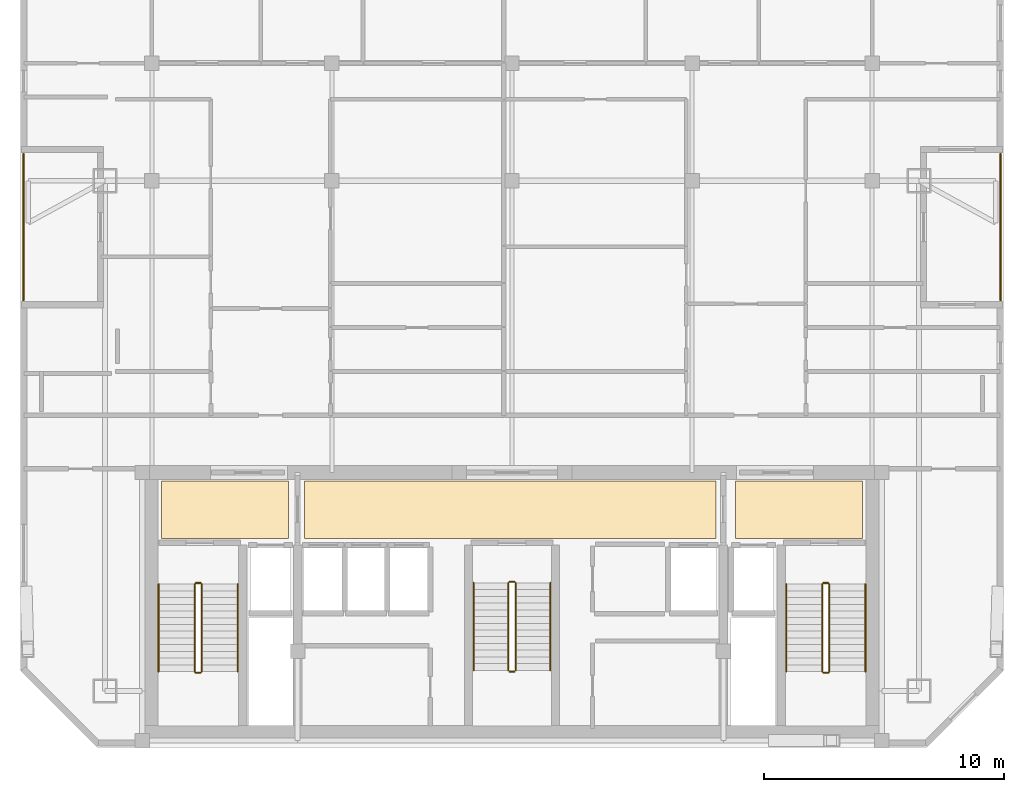
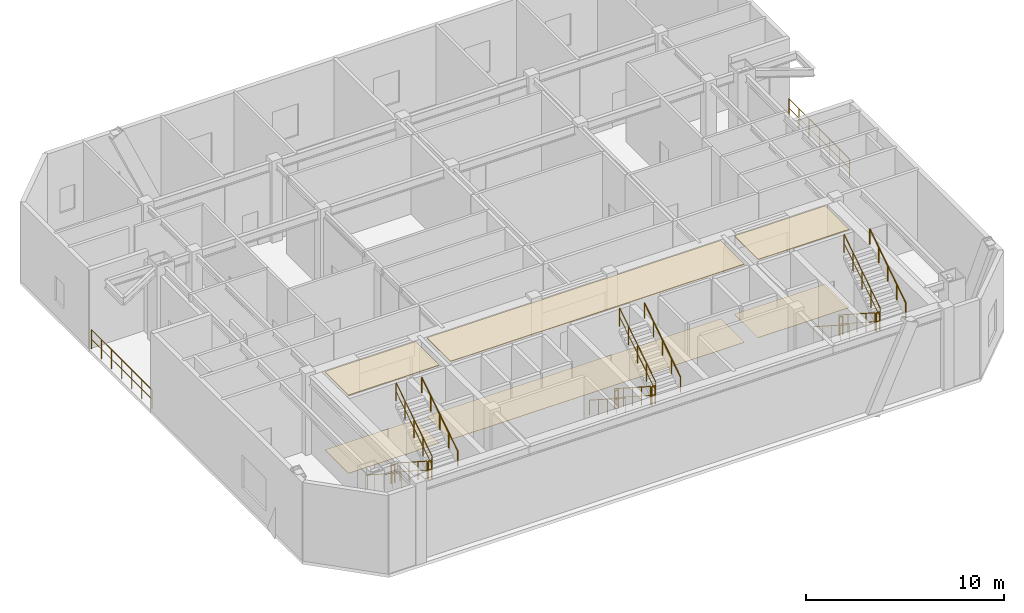
# One storey, part 7 of 7: 20 railings, 6 coverings.
"""IFC4 building model written with IfcOpenShell, lengths in metres."""

from ifc_helpers import new_model, si_unit, direction, frame, origin, origin_2d, place, context, subcontext, project, spatial, polyline, circle, outline, extrude, material, layer, layer_set, type_object, element, save


model = new_model("IFC4")

# Units and contexts
model_context = context("Model", 3, precision=1e-05, world=origin(), true_north=direction((0.0, 1.0)))
body_context = subcontext(model_context, "Body", "Model", "MODEL_VIEW")
ifc_project = project(units=[si_unit("LENGTHUNIT", "METRE"), si_unit("AREAUNIT", "SQUARE_METRE"), si_unit("VOLUMEUNIT", "CUBIC_METRE"), si_unit("PLANEANGLEUNIT", "RADIAN"), si_unit("MASSUNIT", "GRAM", prefix="KILO")], contexts=[model_context])

# Site, building, storey
site_placement = place(None, origin())
site = spatial("IfcSite", under=ifc_project, at=site_placement, CompositionType="ELEMENT")
building_placement = place(site_placement, origin())
building = spatial("IfcBuilding", under=site, at=building_placement, Name="Ventersveld Concourse Tower", CompositionType="ELEMENT")
storey_placement = place(building_placement, frame((0.0, 0.0, 276.0)))
storey = spatial("IfcBuildingStorey", under=building, at=storey_placement, Name="L68", CompositionType="ELEMENT", Elevation=276.0)

# Coverings
ifc_material_1 = material(Name="Mineral-fibre acoustic ceiling tile", Category="gypsum")
ifc_layer_1 = layer(ifc_material_1, 0.0400390625)
ifc_layer_set_1 = layer_set([ifc_layer_1], Name="Mineral-fibre acoustic ceiling tile")
covering_type_1 = type_object("IfcCoveringType", Name="COV-CEIL-ACOUSTIC", PredefinedType="CEILING", material=ifc_layer_set_1)
covering_1_placement = place(storey_placement, frame((0.0, 0.0, 4.81005859375)))
element("IfcCovering", 1, at=covering_1_placement, inside=storey, type_object=covering_type_1, Name="L68 North Lift Lobby Acoustic Ceiling", PredefinedType="CEILING", context=body_context, shape_type="SweptSolid", body=[
    extrude(outline(polyline([(20.10009765625, 8.699951171875), (37.25, 8.699951171875), (37.25, 11.10009765625), (20.10009765625, 11.10009765625), (20.10009765625, 8.699951171875)])), origin(), (0.0, 0.0, 1.0), 0.0400390625),
])
covering_2_placement = place(storey_placement, frame((0.0, 0.0, 4.81005859375)))
element("IfcCovering", 2, at=covering_2_placement, inside=storey, type_object=covering_type_1, Name="L68 West Firefighting Lobby Acoustic Ceiling", PredefinedType="CEILING", context=body_context, shape_type="SweptSolid", body=[
    extrude(outline(polyline([(14.14990234375, 8.699951171875), (19.449951171875, 8.699951171875), (19.449951171875, 11.10009765625), (14.14990234375, 11.10009765625), (14.14990234375, 8.699951171875)])), origin(), (0.0, 0.0, 1.0), 0.0400390625),
])
covering_3_placement = place(storey_placement, frame((0.0, 0.0, 4.81005859375)))
element("IfcCovering", 3, at=covering_3_placement, inside=storey, type_object=covering_type_1, Name="L68 East Firefighting Lobby Acoustic Ceiling", PredefinedType="CEILING", context=body_context, shape_type="SweptSolid", body=[
    extrude(outline(polyline([(38.050048828125, 8.699951171875), (43.35009765625, 8.699951171875), (43.35009765625, 11.10009765625), (38.050048828125, 11.10009765625), (38.050048828125, 8.699951171875)])), origin(), (0.0, 0.0, 1.0), 0.0400390625),
])
ifc_material_2 = material(Name="Polished Highveld granite terrazzo", Category="masonry")
ifc_layer_2 = layer(ifc_material_2, 0.02001953125)
ifc_layer_set_2 = layer_set([ifc_layer_2], Name="Polished Highveld granite terrazzo")
covering_type_2 = type_object("IfcCoveringType", Name="COV-FLOOR-TERRAZZO", PredefinedType="FLOORING", material=ifc_layer_set_2)
covering_4_placement = place(storey_placement, origin())
element("IfcCovering", 4, at=covering_4_placement, inside=storey, type_object=covering_type_2, Name="L68 North Lift Lobby Terrazzo Flooring", PredefinedType="FLOORING", context=body_context, shape_type="SweptSolid", body=[
    extrude(outline(polyline([(20.10009765625, 8.699951171875), (37.25, 8.699951171875), (37.25, 11.10009765625), (20.10009765625, 11.10009765625), (20.10009765625, 8.699951171875)])), origin(), (0.0, 0.0, 1.0), 0.02001953125),
])
covering_5_placement = place(storey_placement, origin())
element("IfcCovering", 5, at=covering_5_placement, inside=storey, type_object=covering_type_2, Name="L68 West Firefighting Lobby Terrazzo Flooring", PredefinedType="FLOORING", context=body_context, shape_type="SweptSolid", body=[
    extrude(outline(polyline([(14.14990234375, 8.699951171875), (19.449951171875, 8.699951171875), (19.449951171875, 11.10009765625), (14.14990234375, 11.10009765625), (14.14990234375, 8.699951171875)])), origin(), (0.0, 0.0, 1.0), 0.02001953125),
])
covering_6_placement = place(storey_placement, origin())
element("IfcCovering", 6, at=covering_6_placement, inside=storey, type_object=covering_type_2, Name="L68 East Firefighting Lobby Terrazzo Flooring", PredefinedType="FLOORING", context=body_context, shape_type="SweptSolid", body=[
    extrude(outline(polyline([(38.050048828125, 8.699951171875), (43.35009765625, 8.699951171875), (43.35009765625, 11.10009765625), (38.050048828125, 11.10009765625), (38.050048828125, 8.699951171875)])), origin(), (0.0, 0.0, 1.0), 0.02001953125),
])

# Railings
ifc_material_3 = material(Name="Brushed stainless steel 316", Category="steel")
railing_type_1 = type_object("IfcRailingType", Name="GD-BAL-115", PredefinedType="GUARDRAIL", material=ifc_material_3)
railing_1_placement = place(storey_placement, frame((15.530029296875, 6.800048828125, 0.180419921875)))
element("IfcRailing", 7, at=railing_1_placement, inside=storey, type_object=railing_type_1, Name="L68 ST-01 stair guard 1", PredefinedType="GUARDRAIL", context=body_context, shape_type="SweptSolid", body=[
    extrude(circle(Radius=0.02392578125, at=origin_2d()), frame((0.0, 0.0, 1.1259765625), z_axis=(0.0, -0.840716495035, 0.541475553442), x_axis=(1.0, 0.0, 0.0)), (0.0, 0.0, 1.0), 4.329833984375),
    extrude(circle(Radius=0.01611328125, at=origin_2d()), frame((0.0, 0.0, 0.574951171875), z_axis=(0.0, -0.840716495035, 0.541475553442), x_axis=(1.0, 0.0, 0.0)), (0.0, 0.0, 1.0), 4.329833984375),
    extrude(circle(Radius=0.02099609375, at=origin_2d()), origin(), (0.0, 0.0, 1.0), 1.101806640625),
    extrude(circle(Radius=0.02099609375, at=origin_2d()), frame((0.0, -0.91015625, 0.586181640625)), (0.0, 0.0, 1.0), 1.101806640625),
    extrude(circle(Radius=0.02099609375, at=origin_2d()), frame((0.0, -1.820068359375, 1.17236328125)), (0.0, 0.0, 1.0), 1.101806640625),
    extrude(circle(Radius=0.02099609375, at=origin_2d()), frame((0.0, -2.72998046875, 1.75830078125)), (0.0, 0.0, 1.0), 1.101806640625),
    extrude(circle(Radius=0.02099609375, at=origin_2d()), frame((0.0, -3.64013671875, 2.344482421875)), (0.0, 0.0, 1.0), 1.101806640625),
])
railing_2_placement = place(storey_placement, frame((15.580078125, 3.110107421875, 2.52490234375)))
element("IfcRailing", 8, at=railing_2_placement, inside=storey, type_object=railing_type_1, Name="L68 ST-01 stair guard 2", PredefinedType="GUARDRAIL", context=body_context, shape_type="SweptSolid", body=[
    extrude(circle(Radius=0.02392578125, at=origin_2d()), frame((0.0, 0.0, 1.1259765625), z_axis=(1.0, 0.0, 0.0), x_axis=(0.0, 1.0, 0.0)), (0.0, 0.0, 1.0), 0.199951171875),
    extrude(circle(Radius=0.01611328125, at=origin_2d()), frame((0.0, 0.0, 0.574951171875), z_axis=(1.0, 0.0, 0.0), x_axis=(0.0, 1.0, 0.0)), (0.0, 0.0, 1.0), 0.199951171875),
    extrude(circle(Radius=0.02099609375, at=origin_2d()), origin(), (0.0, 0.0, 1.0), 1.101806640625),
    extrude(circle(Radius=0.02099609375, at=origin_2d()), frame((0.199951171875, 0.0, 0.0)), (0.0, 0.0, 1.0), 1.101806640625),
])
railing_3_placement = place(storey_placement, frame((15.830078125, 3.159912109375, 2.705322265625)))
element("IfcRailing", 9, at=railing_3_placement, inside=storey, type_object=railing_type_1, Name="L68 ST-01 stair guard 3", PredefinedType="GUARDRAIL", context=body_context, shape_type="SweptSolid", body=[
    extrude(circle(Radius=0.02392578125, at=origin_2d()), frame((0.0, 0.0, 1.1259765625), z_axis=(0.0, 0.840690826383, 0.541515405539), x_axis=(-1.0, 0.0, 0.0)), (0.0, 0.0, 1.0), 4.329833984375),
    extrude(circle(Radius=0.01611328125, at=origin_2d()), frame((0.0, 0.0, 0.574951171875), z_axis=(0.0, 0.840690826383, 0.541515405539), x_axis=(-1.0, 0.0, 0.0)), (0.0, 0.0, 1.0), 4.329833984375),
    extrude(circle(Radius=0.02099609375, at=origin_2d()), origin(), (0.0, 0.0, 1.0), 1.101806640625),
    extrude(circle(Radius=0.02099609375, at=origin_2d()), frame((0.0, 0.91015625, 0.586181640625)), (0.0, 0.0, 1.0), 1.101806640625),
    extrude(circle(Radius=0.02099609375, at=origin_2d()), frame((0.0, 1.820068359375, 1.17236328125)), (0.0, 0.0, 1.0), 1.101806640625),
    extrude(circle(Radius=0.02099609375, at=origin_2d()), frame((0.0, 2.72998046875, 1.758544921875)), (0.0, 0.0, 1.0), 1.101806640625),
    extrude(circle(Radius=0.02099609375, at=origin_2d()), frame((0.0, 3.64013671875, 2.3447265625)), (0.0, 0.0, 1.0), 1.101806640625),
])
railing_4_placement = place(storey_placement, frame((15.580078125, 6.85009765625, 0.0)))
element("IfcRailing", 10, at=railing_4_placement, inside=storey, type_object=railing_type_1, Name="L68 ST-01 stair guard 4", PredefinedType="GUARDRAIL", context=body_context, shape_type="SweptSolid", body=[
    extrude(circle(Radius=0.02392578125, at=origin_2d()), frame((0.0, 0.0, 1.1259765625), z_axis=(1.0, 0.0, 0.0), x_axis=(0.0, 1.0, 0.0)), (0.0, 0.0, 1.0), 0.199951171875),
    extrude(circle(Radius=0.01611328125, at=origin_2d()), frame((0.0, 0.0, 0.574951171875), z_axis=(1.0, 0.0, 0.0), x_axis=(0.0, 1.0, 0.0)), (0.0, 0.0, 1.0), 0.199951171875),
    extrude(circle(Radius=0.02099609375, at=origin_2d()), origin(), (0.0, 0.0, 1.0), 1.101806640625),
    extrude(circle(Radius=0.02099609375, at=origin_2d()), frame((0.199951171875, 0.0, 0.0)), (0.0, 0.0, 1.0), 1.101806640625),
])
railing_5_placement = place(storey_placement, frame((41.669921875, 6.800048828125, 0.180419921875)))
element("IfcRailing", 11, at=railing_5_placement, inside=storey, type_object=railing_type_1, Name="L68 ST-02 stair guard 1", PredefinedType="GUARDRAIL", context=body_context, shape_type="SweptSolid", body=[
    extrude(circle(Radius=0.02392578125, at=origin_2d()), frame((0.0, 0.0, 1.1259765625), z_axis=(0.0, -0.840716495035, 0.541475553442), x_axis=(1.0, 0.0, 0.0)), (0.0, 0.0, 1.0), 4.329833984375),
    extrude(circle(Radius=0.01611328125, at=origin_2d()), frame((0.0, 0.0, 0.574951171875), z_axis=(0.0, -0.840716495035, 0.541475553442), x_axis=(1.0, 0.0, 0.0)), (0.0, 0.0, 1.0), 4.329833984375),
    extrude(circle(Radius=0.02099609375, at=origin_2d()), origin(), (0.0, 0.0, 1.0), 1.101806640625),
    extrude(circle(Radius=0.02099609375, at=origin_2d()), frame((0.0, -0.91015625, 0.586181640625)), (0.0, 0.0, 1.0), 1.101806640625),
    extrude(circle(Radius=0.02099609375, at=origin_2d()), frame((0.0, -1.820068359375, 1.17236328125)), (0.0, 0.0, 1.0), 1.101806640625),
    extrude(circle(Radius=0.02099609375, at=origin_2d()), frame((0.0, -2.72998046875, 1.75830078125)), (0.0, 0.0, 1.0), 1.101806640625),
    extrude(circle(Radius=0.02099609375, at=origin_2d()), frame((0.0, -3.64013671875, 2.344482421875)), (0.0, 0.0, 1.0), 1.101806640625),
])
railing_6_placement = place(storey_placement, frame((41.719970703125, 3.110107421875, 2.52490234375)))
element("IfcRailing", 12, at=railing_6_placement, inside=storey, type_object=railing_type_1, Name="L68 ST-02 stair guard 2", PredefinedType="GUARDRAIL", context=body_context, shape_type="SweptSolid", body=[
    extrude(circle(Radius=0.02392578125, at=origin_2d()), frame((0.0, 0.0, 1.1259765625), z_axis=(1.0, 0.0, 0.0), x_axis=(0.0, 1.0, 0.0)), (0.0, 0.0, 1.0), 0.199951171875),
    extrude(circle(Radius=0.01611328125, at=origin_2d()), frame((0.0, 0.0, 0.574951171875), z_axis=(1.0, 0.0, 0.0), x_axis=(0.0, 1.0, 0.0)), (0.0, 0.0, 1.0), 0.199951171875),
    extrude(circle(Radius=0.02099609375, at=origin_2d()), origin(), (0.0, 0.0, 1.0), 1.101806640625),
    extrude(circle(Radius=0.02099609375, at=origin_2d()), frame((0.199951171875, 0.0, 0.0)), (0.0, 0.0, 1.0), 1.101806640625),
])
railing_7_placement = place(storey_placement, frame((41.969970703125, 3.159912109375, 2.705322265625)))
element("IfcRailing", 13, at=railing_7_placement, inside=storey, type_object=railing_type_1, Name="L68 ST-02 stair guard 3", PredefinedType="GUARDRAIL", context=body_context, shape_type="SweptSolid", body=[
    extrude(circle(Radius=0.02392578125, at=origin_2d()), frame((0.0, 0.0, 1.1259765625), z_axis=(0.0, 0.840690826383, 0.541515405539), x_axis=(-1.0, 0.0, 0.0)), (0.0, 0.0, 1.0), 4.329833984375),
    extrude(circle(Radius=0.01611328125, at=origin_2d()), frame((0.0, 0.0, 0.574951171875), z_axis=(0.0, 0.840690826383, 0.541515405539), x_axis=(-1.0, 0.0, 0.0)), (0.0, 0.0, 1.0), 4.329833984375),
    extrude(circle(Radius=0.02099609375, at=origin_2d()), origin(), (0.0, 0.0, 1.0), 1.101806640625),
    extrude(circle(Radius=0.02099609375, at=origin_2d()), frame((0.0, 0.91015625, 0.586181640625)), (0.0, 0.0, 1.0), 1.101806640625),
    extrude(circle(Radius=0.02099609375, at=origin_2d()), frame((0.0, 1.820068359375, 1.17236328125)), (0.0, 0.0, 1.0), 1.101806640625),
    extrude(circle(Radius=0.02099609375, at=origin_2d()), frame((0.0, 2.72998046875, 1.758544921875)), (0.0, 0.0, 1.0), 1.101806640625),
    extrude(circle(Radius=0.02099609375, at=origin_2d()), frame((0.0, 3.64013671875, 2.3447265625)), (0.0, 0.0, 1.0), 1.101806640625),
])
railing_8_placement = place(storey_placement, frame((41.719970703125, 6.85009765625, 0.0)))
element("IfcRailing", 14, at=railing_8_placement, inside=storey, type_object=railing_type_1, Name="L68 ST-02 stair guard 4", PredefinedType="GUARDRAIL", context=body_context, shape_type="SweptSolid", body=[
    extrude(circle(Radius=0.02392578125, at=origin_2d()), frame((0.0, 0.0, 1.1259765625), z_axis=(1.0, 0.0, 0.0), x_axis=(0.0, 1.0, 0.0)), (0.0, 0.0, 1.0), 0.199951171875),
    extrude(circle(Radius=0.01611328125, at=origin_2d()), frame((0.0, 0.0, 0.574951171875), z_axis=(1.0, 0.0, 0.0), x_axis=(0.0, 1.0, 0.0)), (0.0, 0.0, 1.0), 0.199951171875),
    extrude(circle(Radius=0.02099609375, at=origin_2d()), origin(), (0.0, 0.0, 1.0), 1.101806640625),
    extrude(circle(Radius=0.02099609375, at=origin_2d()), frame((0.199951171875, 0.0, 0.0)), (0.0, 0.0, 1.0), 1.101806640625),
])
railing_9_placement = place(storey_placement, frame((28.60009765625, 6.85009765625, 0.180419921875)))
element("IfcRailing", 15, at=railing_9_placement, inside=storey, type_object=railing_type_1, Name="L68 ST-03 stair guard 1", PredefinedType="GUARDRAIL", context=body_context, shape_type="SweptSolid", body=[
    extrude(circle(Radius=0.02392578125, at=origin_2d()), frame((0.0, 0.0, 1.1259765625), z_axis=(0.0, -0.840716495035, 0.541475553442), x_axis=(1.0, 0.0, 0.0)), (0.0, 0.0, 1.0), 4.329833984375),
    extrude(circle(Radius=0.01611328125, at=origin_2d()), frame((0.0, 0.0, 0.574951171875), z_axis=(0.0, -0.840716495035, 0.541475553442), x_axis=(1.0, 0.0, 0.0)), (0.0, 0.0, 1.0), 4.329833984375),
    extrude(circle(Radius=0.02099609375, at=origin_2d()), origin(), (0.0, 0.0, 1.0), 1.101806640625),
    extrude(circle(Radius=0.02099609375, at=origin_2d()), frame((0.0, -0.91015625, 0.586181640625)), (0.0, 0.0, 1.0), 1.101806640625),
    extrude(circle(Radius=0.02099609375, at=origin_2d()), frame((0.0, -1.820068359375, 1.17236328125)), (0.0, 0.0, 1.0), 1.101806640625),
    extrude(circle(Radius=0.02099609375, at=origin_2d()), frame((0.0, -2.72998046875, 1.75830078125)), (0.0, 0.0, 1.0), 1.101806640625),
    extrude(circle(Radius=0.02099609375, at=origin_2d()), frame((0.0, -3.64013671875, 2.344482421875)), (0.0, 0.0, 1.0), 1.101806640625),
])
railing_10_placement = place(storey_placement, frame((28.64990234375, 3.159912109375, 2.52490234375)))
element("IfcRailing", 16, at=railing_10_placement, inside=storey, type_object=railing_type_1, Name="L68 ST-03 stair guard 2", PredefinedType="GUARDRAIL", context=body_context, shape_type="SweptSolid", body=[
    extrude(circle(Radius=0.02392578125, at=origin_2d()), frame((0.0, 0.0, 1.1259765625), z_axis=(1.0, 0.0, 0.0), x_axis=(0.0, 1.0, 0.0)), (0.0, 0.0, 1.0), 0.2001953125),
    extrude(circle(Radius=0.01611328125, at=origin_2d()), frame((0.0, 0.0, 0.574951171875), z_axis=(1.0, 0.0, 0.0), x_axis=(0.0, 1.0, 0.0)), (0.0, 0.0, 1.0), 0.2001953125),
    extrude(circle(Radius=0.02099609375, at=origin_2d()), origin(), (0.0, 0.0, 1.0), 1.101806640625),
    extrude(circle(Radius=0.02099609375, at=origin_2d()), frame((0.2001953125, 0.0, 0.0)), (0.0, 0.0, 1.0), 1.101806640625),
])
railing_11_placement = place(storey_placement, frame((28.89990234375, 3.2099609375, 2.705322265625)))
element("IfcRailing", 17, at=railing_11_placement, inside=storey, type_object=railing_type_1, Name="L68 ST-03 stair guard 3", PredefinedType="GUARDRAIL", context=body_context, shape_type="SweptSolid", body=[
    extrude(circle(Radius=0.02392578125, at=origin_2d()), frame((0.0, 0.0, 1.1259765625), z_axis=(0.0, 0.840690826383, 0.541515405539), x_axis=(-1.0, 0.0, 0.0)), (0.0, 0.0, 1.0), 4.329833984375),
    extrude(circle(Radius=0.01611328125, at=origin_2d()), frame((0.0, 0.0, 0.574951171875), z_axis=(0.0, 0.840690826383, 0.541515405539), x_axis=(-1.0, 0.0, 0.0)), (0.0, 0.0, 1.0), 4.329833984375),
    extrude(circle(Radius=0.02099609375, at=origin_2d()), origin(), (0.0, 0.0, 1.0), 1.101806640625),
    extrude(circle(Radius=0.02099609375, at=origin_2d()), frame((0.0, 0.91015625, 0.586181640625)), (0.0, 0.0, 1.0), 1.101806640625),
    extrude(circle(Radius=0.02099609375, at=origin_2d()), frame((0.0, 1.820068359375, 1.17236328125)), (0.0, 0.0, 1.0), 1.101806640625),
    extrude(circle(Radius=0.02099609375, at=origin_2d()), frame((0.0, 2.72998046875, 1.758544921875)), (0.0, 0.0, 1.0), 1.101806640625),
    extrude(circle(Radius=0.02099609375, at=origin_2d()), frame((0.0, 3.64013671875, 2.3447265625)), (0.0, 0.0, 1.0), 1.101806640625),
])
railing_12_placement = place(storey_placement, frame((28.64990234375, 6.89990234375, 0.0)))
element("IfcRailing", 18, at=railing_12_placement, inside=storey, type_object=railing_type_1, Name="L68 ST-03 stair guard 4", PredefinedType="GUARDRAIL", context=body_context, shape_type="SweptSolid", body=[
    extrude(circle(Radius=0.02392578125, at=origin_2d()), frame((0.0, 0.0, 1.1259765625), z_axis=(1.0, 0.0, 0.0), x_axis=(0.0, 1.0, 0.0)), (0.0, 0.0, 1.0), 0.2001953125),
    extrude(circle(Radius=0.01611328125, at=origin_2d()), frame((0.0, 0.0, 0.574951171875), z_axis=(1.0, 0.0, 0.0), x_axis=(0.0, 1.0, 0.0)), (0.0, 0.0, 1.0), 0.2001953125),
    extrude(circle(Radius=0.02099609375, at=origin_2d()), origin(), (0.0, 0.0, 1.0), 1.101806640625),
    extrude(circle(Radius=0.02099609375, at=origin_2d()), frame((0.2001953125, 0.0, 0.0)), (0.0, 0.0, 1.0), 1.101806640625),
])
railing_type_2 = type_object("IfcRailingType", Name="GD-TER-120", PredefinedType="GUARDRAIL", material=ifc_material_3)
for number, where, name in (
    (19, (8.402099609375, 18.618896484375, 0.0), "L68 Outdoor Terrace Guardrail NOTCH-W"),
    (20, (49.097900390625, 18.618896484375, 0.0), "L68 Outdoor Terrace Guardrail NOTCH-E"),
):
    element("IfcRailing", number, at=place(storey_placement, frame(where)), inside=storey, type_object=railing_type_2, Name=name, PredefinedType="GUARDRAIL", context=body_context, shape_type="SweptSolid", body=[
        extrude(circle(Radius=0.02392578125, at=origin_2d()), frame((0.0, 0.0, 1.17578125), z_axis=(0.0, 1.0, 0.0), x_axis=(-1.0, 0.0, 0.0)), (0.0, 0.0, 1.0), 6.10009765625),
        extrude(circle(Radius=0.01611328125, at=origin_2d()), frame((0.0, 0.0, 0.60009765625), z_axis=(0.0, 1.0, 0.0), x_axis=(-1.0, 0.0, 0.0)), (0.0, 0.0, 1.0), 6.10009765625),
        extrude(circle(Radius=0.02099609375, at=origin_2d()), origin(), (0.0, 0.0, 1.0), 1.15185546875),
        extrude(circle(Radius=0.02099609375, at=origin_2d()), frame((0.0, 1.0166015625, 0.0)), (0.0, 0.0, 1.0), 1.15185546875),
        extrude(circle(Radius=0.02099609375, at=origin_2d()), frame((0.0, 2.033447265625, 0.0)), (0.0, 0.0, 1.0), 1.15185546875),
        extrude(circle(Radius=0.02099609375, at=origin_2d()), frame((0.0, 3.050048828125, 0.0)), (0.0, 0.0, 1.0), 1.15185546875),
        extrude(circle(Radius=0.02099609375, at=origin_2d()), frame((0.0, 4.066650390625, 0.0)), (0.0, 0.0, 1.0), 1.15185546875),
        extrude(circle(Radius=0.02099609375, at=origin_2d()), frame((0.0, 5.08349609375, 0.0)), (0.0, 0.0, 1.0), 1.15185546875),
        extrude(circle(Radius=0.02099609375, at=origin_2d()), frame((0.0, 6.10009765625, 0.0)), (0.0, 0.0, 1.0), 1.15185546875),
    ])
railing_type_3 = type_object("IfcRailingType", Name="HR-RMP-095", PredefinedType="HANDRAIL", material=ifc_material_3)
railing_13_placement = place(storey_placement, frame((14.030029296875, 6.800048828125, 0.180419921875)))
element("IfcRailing", 21, at=railing_13_placement, inside=storey, type_object=railing_type_3, Name="L68 ST-01 stair handrail 1", PredefinedType="HANDRAIL", context=body_context, shape_type="SweptSolid", body=[
    extrude(circle(Radius=0.02392578125, at=origin_2d()), frame((0.0, 0.0, 0.92578125), z_axis=(0.0, -0.840716495035, 0.541475553442), x_axis=(1.0, 0.0, 0.0)), (0.0, 0.0, 1.0), 4.329833984375),
    extrude(circle(Radius=0.02099609375, at=origin_2d()), origin(), (0.0, 0.0, 1.0), 0.90185546875),
    extrude(circle(Radius=0.02099609375, at=origin_2d()), frame((0.0, -0.91015625, 0.586181640625)), (0.0, 0.0, 1.0), 0.90185546875),
    extrude(circle(Radius=0.02099609375, at=origin_2d()), frame((0.0, -1.820068359375, 1.17236328125)), (0.0, 0.0, 1.0), 0.90185546875),
    extrude(circle(Radius=0.02099609375, at=origin_2d()), frame((0.0, -2.72998046875, 1.75830078125)), (0.0, 0.0, 1.0), 0.90185546875),
    extrude(circle(Radius=0.02099609375, at=origin_2d()), frame((0.0, -3.64013671875, 2.344482421875)), (0.0, 0.0, 1.0), 0.90185546875),
])
railing_14_placement = place(storey_placement, frame((17.330078125, 3.159912109375, 2.705322265625)))
element("IfcRailing", 22, at=railing_14_placement, inside=storey, type_object=railing_type_3, Name="L68 ST-01 stair handrail 2", PredefinedType="HANDRAIL", context=body_context, shape_type="SweptSolid", body=[
    extrude(circle(Radius=0.02392578125, at=origin_2d()), frame((0.0, 0.0, 0.92578125), z_axis=(0.0, 0.840690826383, 0.541515405539), x_axis=(-1.0, 0.0, 0.0)), (0.0, 0.0, 1.0), 4.329833984375),
    extrude(circle(Radius=0.02099609375, at=origin_2d()), origin(), (0.0, 0.0, 1.0), 0.90185546875),
    extrude(circle(Radius=0.02099609375, at=origin_2d()), frame((0.0, 0.91015625, 0.586181640625)), (0.0, 0.0, 1.0), 0.90185546875),
    extrude(circle(Radius=0.02099609375, at=origin_2d()), frame((0.0, 1.820068359375, 1.17236328125)), (0.0, 0.0, 1.0), 0.90185546875),
    extrude(circle(Radius=0.02099609375, at=origin_2d()), frame((0.0, 2.72998046875, 1.758544921875)), (0.0, 0.0, 1.0), 0.90185546875),
    extrude(circle(Radius=0.02099609375, at=origin_2d()), frame((0.0, 3.64013671875, 2.3447265625)), (0.0, 0.0, 1.0), 0.90185546875),
])
railing_15_placement = place(storey_placement, frame((40.169921875, 6.800048828125, 0.180419921875)))
element("IfcRailing", 23, at=railing_15_placement, inside=storey, type_object=railing_type_3, Name="L68 ST-02 stair handrail 1", PredefinedType="HANDRAIL", context=body_context, shape_type="SweptSolid", body=[
    extrude(circle(Radius=0.02392578125, at=origin_2d()), frame((0.0, 0.0, 0.92578125), z_axis=(0.0, -0.840716495035, 0.541475553442), x_axis=(1.0, 0.0, 0.0)), (0.0, 0.0, 1.0), 4.329833984375),
    extrude(circle(Radius=0.02099609375, at=origin_2d()), origin(), (0.0, 0.0, 1.0), 0.90185546875),
    extrude(circle(Radius=0.02099609375, at=origin_2d()), frame((0.0, -0.91015625, 0.586181640625)), (0.0, 0.0, 1.0), 0.90185546875),
    extrude(circle(Radius=0.02099609375, at=origin_2d()), frame((0.0, -1.820068359375, 1.17236328125)), (0.0, 0.0, 1.0), 0.90185546875),
    extrude(circle(Radius=0.02099609375, at=origin_2d()), frame((0.0, -2.72998046875, 1.75830078125)), (0.0, 0.0, 1.0), 0.90185546875),
    extrude(circle(Radius=0.02099609375, at=origin_2d()), frame((0.0, -3.64013671875, 2.344482421875)), (0.0, 0.0, 1.0), 0.90185546875),
])
railing_16_placement = place(storey_placement, frame((43.469970703125, 3.159912109375, 2.705322265625)))
element("IfcRailing", 24, at=railing_16_placement, inside=storey, type_object=railing_type_3, Name="L68 ST-02 stair handrail 2", PredefinedType="HANDRAIL", context=body_context, shape_type="SweptSolid", body=[
    extrude(circle(Radius=0.02392578125, at=origin_2d()), frame((0.0, 0.0, 0.92578125), z_axis=(0.0, 0.840690826383, 0.541515405539), x_axis=(-1.0, 0.0, 0.0)), (0.0, 0.0, 1.0), 4.329833984375),
    extrude(circle(Radius=0.02099609375, at=origin_2d()), origin(), (0.0, 0.0, 1.0), 0.90185546875),
    extrude(circle(Radius=0.02099609375, at=origin_2d()), frame((0.0, 0.91015625, 0.586181640625)), (0.0, 0.0, 1.0), 0.90185546875),
    extrude(circle(Radius=0.02099609375, at=origin_2d()), frame((0.0, 1.820068359375, 1.17236328125)), (0.0, 0.0, 1.0), 0.90185546875),
    extrude(circle(Radius=0.02099609375, at=origin_2d()), frame((0.0, 2.72998046875, 1.758544921875)), (0.0, 0.0, 1.0), 0.90185546875),
    extrude(circle(Radius=0.02099609375, at=origin_2d()), frame((0.0, 3.64013671875, 2.3447265625)), (0.0, 0.0, 1.0), 0.90185546875),
])
railing_17_placement = place(storey_placement, frame((27.14990234375, 6.85009765625, 0.180419921875)))
element("IfcRailing", 25, at=railing_17_placement, inside=storey, type_object=railing_type_3, Name="L68 ST-03 stair handrail 1", PredefinedType="HANDRAIL", context=body_context, shape_type="SweptSolid", body=[
    extrude(circle(Radius=0.02392578125, at=origin_2d()), frame((0.0, 0.0, 0.92578125), z_axis=(0.0, -0.840716495035, 0.541475553442), x_axis=(1.0, 0.0, 0.0)), (0.0, 0.0, 1.0), 4.329833984375),
    extrude(circle(Radius=0.02099609375, at=origin_2d()), origin(), (0.0, 0.0, 1.0), 0.90185546875),
    extrude(circle(Radius=0.02099609375, at=origin_2d()), frame((0.0, -0.91015625, 0.586181640625)), (0.0, 0.0, 1.0), 0.90185546875),
    extrude(circle(Radius=0.02099609375, at=origin_2d()), frame((0.0, -1.820068359375, 1.17236328125)), (0.0, 0.0, 1.0), 0.90185546875),
    extrude(circle(Radius=0.02099609375, at=origin_2d()), frame((0.0, -2.72998046875, 1.75830078125)), (0.0, 0.0, 1.0), 0.90185546875),
    extrude(circle(Radius=0.02099609375, at=origin_2d()), frame((0.0, -3.64013671875, 2.344482421875)), (0.0, 0.0, 1.0), 0.90185546875),
])
railing_18_placement = place(storey_placement, frame((30.35009765625, 3.2099609375, 2.705322265625)))
element("IfcRailing", 26, at=railing_18_placement, inside=storey, type_object=railing_type_3, Name="L68 ST-03 stair handrail 2", PredefinedType="HANDRAIL", context=body_context, shape_type="SweptSolid", body=[
    extrude(circle(Radius=0.02392578125, at=origin_2d()), frame((0.0, 0.0, 0.92578125), z_axis=(0.0, 0.840690826383, 0.541515405539), x_axis=(-1.0, 0.0, 0.0)), (0.0, 0.0, 1.0), 4.329833984375),
    extrude(circle(Radius=0.02099609375, at=origin_2d()), origin(), (0.0, 0.0, 1.0), 0.90185546875),
    extrude(circle(Radius=0.02099609375, at=origin_2d()), frame((0.0, 0.91015625, 0.586181640625)), (0.0, 0.0, 1.0), 0.90185546875),
    extrude(circle(Radius=0.02099609375, at=origin_2d()), frame((0.0, 1.820068359375, 1.17236328125)), (0.0, 0.0, 1.0), 0.90185546875),
    extrude(circle(Radius=0.02099609375, at=origin_2d()), frame((0.0, 2.72998046875, 1.758544921875)), (0.0, 0.0, 1.0), 0.90185546875),
    extrude(circle(Radius=0.02099609375, at=origin_2d()), frame((0.0, 3.64013671875, 2.3447265625)), (0.0, 0.0, 1.0), 0.90185546875),
])

save(model, "model.ifc")
